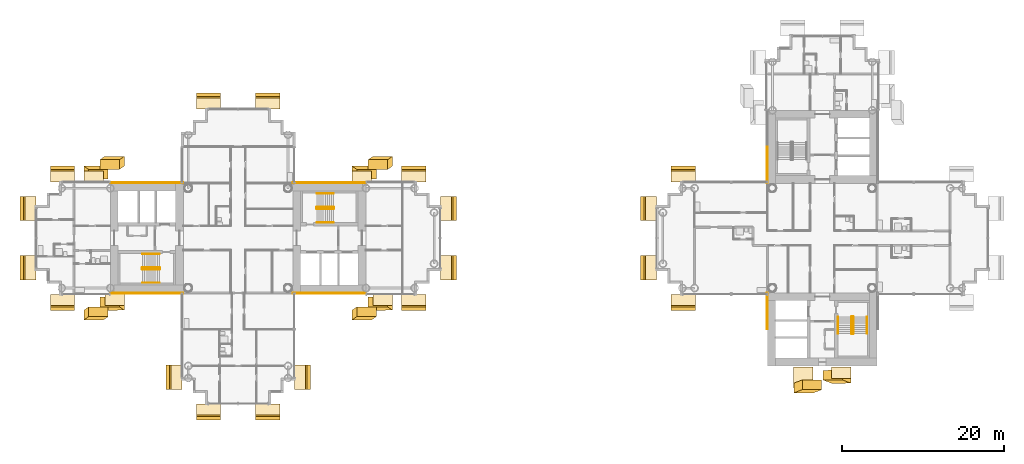
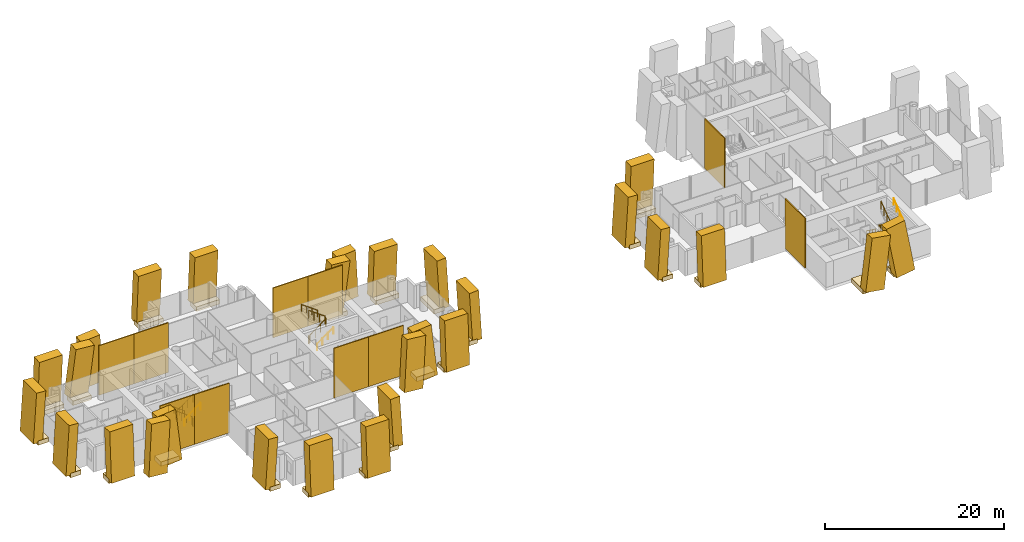
# One storey, part 19 of 21: 62 coverings, 9 railings.
"""IFC4 building model written with IfcOpenShell, lengths in metres."""

from ifc_helpers import new_model, si_unit, direction, frame, origin, origin_2d, place, context, subcontext, project, spatial, rectangle, circle, extrude, material, layer, layer_set, material_profile, profile_set, type_object, element, save


model = new_model("IFC4")

# Units and contexts
model_context = context("Model", 3, precision=1e-05, world=origin(), true_north=direction((0.0, 1.0)))
body_context = subcontext(model_context, "Body", "Model", "MODEL_VIEW")
ifc_project = project(units=[si_unit("LENGTHUNIT", "METRE"), si_unit("AREAUNIT", "SQUARE_METRE"), si_unit("VOLUMEUNIT", "CUBIC_METRE"), si_unit("PLANEANGLEUNIT", "RADIAN"), si_unit("MASSUNIT", "GRAM", prefix="KILO")], contexts=[model_context])

# Site, building, storey
site_placement = place(None, origin())
site = spatial("IfcSite", under=ifc_project, at=site_placement, CompositionType="ELEMENT")
building_placement = place(site_placement, origin())
building = spatial("IfcBuilding", under=site, at=building_placement, Name="Ipe Terrace Towers", CompositionType="ELEMENT")
storey_placement = place(building_placement, frame((0.0, 0.0, 86.800048828125)))
storey = spatial("IfcBuildingStorey", under=building, at=storey_placement, Name="L23", CompositionType="ELEMENT", Elevation=86.800048828125)

# Coverings
ifc_material_1 = material(Name="Concrete C50/60 precast, buff finish", Category="concrete")
ifc_layer = layer(ifc_material_1, 0.1201171875)
ifc_layer_set = layer_set([ifc_layer], Name="STONE CORE CLADDING 120")
covering_type_1 = type_object("IfcCoveringType", Name="STONE CORE CLADDING 120", PredefinedType="CLADDING", material=ifc_layer_set)
covering_1_placement = place(storey_placement, frame((-49.5009765625, -6.81005859375, 0.0), z_axis=(0.0, 0.0, 1.0), x_axis=(1.0, 0.0, 0.0)))
element("IfcCovering", 1, at=covering_1_placement, inside=storey, type_object=covering_type_1, Name="stone core cladding", PredefinedType="CLADDING", context=body_context, shape_type="SweptSolid", body=[
    extrude(rectangle(XDim=4.5009765625, YDim=0.1201171875, at=origin_2d()), origin(), (0.0, 0.0, 1.0), 6.800048828125),
])
covering_2_placement = place(storey_placement, frame((-45.0, -6.81005859375, 0.0), z_axis=(0.0, 0.0, 1.0), x_axis=(1.0, 0.0, 0.0)))
element("IfcCovering", 2, at=covering_2_placement, inside=storey, type_object=covering_type_1, Name="stone core cladding", PredefinedType="CLADDING", context=body_context, shape_type="SweptSolid", body=[
    extrude(rectangle(XDim=4.5, YDim=0.1201171875, at=origin_2d()), origin(), (0.0, 0.0, 1.0), 6.800048828125),
])
covering_3_placement = place(storey_placement, frame((-49.5009765625, 6.81005859375, 0.0), z_axis=(0.0, 0.0, 1.0), x_axis=(-1.0, 0.0, 0.0)))
element("IfcCovering", 3, at=covering_3_placement, inside=storey, type_object=covering_type_1, Name="stone core cladding", PredefinedType="CLADDING", context=body_context, shape_type="SweptSolid", body=[
    extrude(rectangle(XDim=4.5009765625, YDim=0.1201171875, at=origin_2d()), origin(), (0.0, 0.0, 1.0), 6.800048828125),
])
for number, where, z_axis, x_axis, name in (
    (4, (-45.0, 6.81005859375, 0.0), (0.0, 0.0, 1.0), (-1.0, 0.0, 0.0), "stone core cladding"),
    (5, (-27.0, -6.81005859375, 0.0), (0.0, 0.0, 1.0), (1.0, 0.0, 0.0), "stone core cladding"),
):
    element("IfcCovering", number, at=place(storey_placement, frame(where, z_axis=z_axis, x_axis=x_axis)), inside=storey, type_object=covering_type_1, Name=name, PredefinedType="CLADDING", context=body_context, shape_type="SweptSolid", body=[
        extrude(rectangle(XDim=4.5, YDim=0.1201171875, at=origin_2d()), origin(), (0.0, 0.0, 1.0), 6.800048828125),
    ])
covering_4_placement = place(storey_placement, frame((-22.4990234375, -6.81005859375, 0.0), z_axis=(0.0, 0.0, 1.0), x_axis=(1.0, 0.0, 0.0)))
element("IfcCovering", 6, at=covering_4_placement, inside=storey, type_object=covering_type_1, Name="stone core cladding", PredefinedType="CLADDING", context=body_context, shape_type="SweptSolid", body=[
    extrude(rectangle(XDim=4.5009765625, YDim=0.1201171875, at=origin_2d()), origin(), (0.0, 0.0, 1.0), 6.800048828125),
])
covering_5_placement = place(storey_placement, frame((-27.0, 6.81005859375, 0.0), z_axis=(0.0, 0.0, 1.0), x_axis=(-1.0, 0.0, 0.0)))
element("IfcCovering", 7, at=covering_5_placement, inside=storey, type_object=covering_type_1, Name="stone core cladding", PredefinedType="CLADDING", context=body_context, shape_type="SweptSolid", body=[
    extrude(rectangle(XDim=4.5, YDim=0.1201171875, at=origin_2d()), origin(), (0.0, 0.0, 1.0), 6.800048828125),
])
covering_6_placement = place(storey_placement, frame((-22.4990234375, 6.81005859375, 0.0), z_axis=(0.0, 0.0, 1.0), x_axis=(-1.0, 0.0, 0.0)))
element("IfcCovering", 8, at=covering_6_placement, inside=storey, type_object=covering_type_1, Name="stone core cladding", PredefinedType="CLADDING", context=body_context, shape_type="SweptSolid", body=[
    extrude(rectangle(XDim=4.5009765625, YDim=0.1201171875, at=origin_2d()), origin(), (0.0, 0.0, 1.0), 6.800048828125),
])
for number, where, z_axis, x_axis, name in (
    (9, (29.18994140625, -9.0, 0.0), (0.0, 0.0, 1.0), (0.0, -1.0, 0.0), "stone core cladding"),
    (10, (29.18994140625, 9.0, 0.0), (0.0, 0.0, 1.0), (0.0, -1.0, 0.0), "stone core cladding"),
):
    element("IfcCovering", number, at=place(storey_placement, frame(where, z_axis=z_axis, x_axis=x_axis)), inside=storey, type_object=covering_type_1, Name=name, PredefinedType="CLADDING", context=body_context, shape_type="SweptSolid", body=[
        extrude(rectangle(XDim=4.5, YDim=0.1201171875, at=origin_2d()), origin(), (0.0, 0.0, 1.0), 6.800048828125),
    ])
ifc_material_2 = material(Name="Concrete C50/60 precast, buff finish", Category="concrete")
ifc_material_profile_1 = material_profile(ifc_material_2, rectangle(XDim=2.39990234375, YDim=1.199951171875, at=origin_2d()), Name="STONE FIN 2400 x 1200")
ifc_profile_set_1 = profile_set([ifc_material_profile_1], Name="Concrete C50/60 precast, buff finish")
covering_type_2 = type_object("IfcCoveringType", Name="STONE FIN 2400 x 1200", PredefinedType="USERDEFINED", material=ifc_profile_set_1)
for number, where, z_axis, x_axis, name in (
    (11, (-20.76904296875, -9.488037109375, 0.0), (0.086717948488, 0.060691853614, 0.994382469835), (0.996232903196, -0.005282974506, -0.086556875927), "stone fin"),
    (12, (-20.76904296875, 8.2880859375, 0.0), (0.086717948488, -0.060691853614, 0.994382469835), (-0.996232903196, -0.005282974506, 0.086556875927), "stone fin"),
    (13, (-18.180908203125, -8.2880859375, 0.0), (-0.086717948488, 0.060691853614, 0.994382469835), (0.996232903196, 0.005282974506, 0.086556875927), "stone fin"),
    (14, (-18.180908203125, 9.488037109375, 0.0), (-0.086717948488, -0.060691853614, 0.994382469835), (-0.996232903196, 0.005282974506, -0.086556875927), "stone fin"),
    (15, (-53.819091796875, -9.488037109375, 0.0), (0.086717948488, 0.060691853614, 0.994382469835), (0.996232903196, -0.005282974506, -0.086556875927), "stone fin"),
    (16, (-53.819091796875, 8.2880859375, 0.0), (0.086717948488, -0.060691853614, 0.994382469835), (-0.996232903196, -0.005282974506, 0.086556875927), "stone fin"),
    (17, (-51.23095703125, -8.2880859375, 0.0), (-0.086717948488, 0.060691853614, 0.994382469835), (0.996232903196, 0.005282974506, 0.086556875927), "stone fin"),
    (18, (-51.23095703125, 9.488037109375, 0.0), (-0.086717948488, -0.060691853614, 0.994382469835), (-0.996232903196, 0.005282974506, -0.086556875927), "stone fin"),
):
    element("IfcCovering", number, at=place(storey_placement, frame(where, z_axis=z_axis, x_axis=x_axis)), inside=storey, type_object=covering_type_2, Name=name, ObjectType="FIN", PredefinedType="USERDEFINED", context=body_context, shape_type="SweptSolid", body=[
        extrude(rectangle(XDim=2.39990234375, YDim=1.199951171875, at=origin_2d()), origin(), (0.0, 0.0, 1.0), 6.83837890625),
    ])
for number, where, z_axis, x_axis, name in (
    (19, (38.340087890625, -17.2880859375, 0.0), (-0.155581739116, 0.060179512286, 0.985988209237), (0.987823021828, 0.009478249627, 0.155292756851), "stone fin"),
    (20, (33.659912109375, -18.488037109375, 0.0), (0.155581739116, 0.060179512286, 0.985988209237), (0.987823021828, -0.009478249627, -0.155292756851), "stone fin"),
):
    element("IfcCovering", number, at=place(storey_placement, frame(where, z_axis=z_axis, x_axis=x_axis)), inside=storey, type_object=covering_type_2, Name=name, ObjectType="FIN", PredefinedType="USERDEFINED", context=body_context, shape_type="SweptSolid", body=[
        extrude(rectangle(XDim=2.39990234375, YDim=1.199951171875, at=origin_2d()), origin(), (0.0, 0.0, 1.0), 6.896728515625),
    ])
ifc_material_3 = material(Name="Concrete C50/60 precast, buff finish", Category="concrete")
ifc_material_profile_2 = material_profile(ifc_material_3, rectangle(XDim=3.0, YDim=1.199951171875, at=origin_2d()), Name="STONE FIN CORNER 3000 x 1200")
ifc_profile_set_2 = profile_set([ifc_material_profile_2], Name="Concrete C50/60 precast, buff finish")
covering_type_3 = type_object("IfcCoveringType", Name="STONE FIN CORNER 3000 x 1200", PredefinedType="USERDEFINED", material=ifc_profile_set_2)
for number, where, z_axis, x_axis, name in (
    (21, (-9.7119140625, -3.64990234375, 0.0), (-0.060921350238, 0.0, 0.998142569519), (0.0, 1.0, 0.0), "stone fin"),
    (22, (-9.7119140625, 3.64990234375, 0.0), (-0.060921350238, 0.0, 0.998142569519), (0.0, 1.0, 0.0), "stone fin"),
    (23, (-14.35009765625, -8.2880859375, 0.0), (0.0, 0.060921350238, 0.998142569519), (1.0, 0.0, 0.0), "stone fin"),
    (24, (-14.35009765625, 8.2880859375, 0.0), (0.0, -0.060921350238, 0.998142569519), (-1.0, 0.0, 0.0), "stone fin"),
    (25, (-27.7119140625, -17.14990234375, 0.0), (-0.060921350238, 0.0, 0.998142569519), (0.0, 1.0, 0.0), "stone fin"),
    (26, (-32.35009765625, -21.7880859375, 0.0), (0.0, 0.060921350238, 0.998142569519), (1.0, 0.0, 0.0), "stone fin"),
    (27, (-32.35009765625, 17.2880859375, 0.0), (0.0, -0.060921350238, 0.998142569519), (-1.0, 0.0, 0.0), "stone fin"),
    (28, (-39.64990234375, -21.7880859375, 0.0), (0.0, 0.060921350238, 0.998142569519), (1.0, 0.0, 0.0), "stone fin"),
    (29, (-39.64990234375, 17.2880859375, 0.0), (0.0, -0.060921350238, 0.998142569519), (-1.0, 0.0, 0.0), "stone fin"),
    (30, (-44.2880859375, -17.14990234375, 0.0), (0.060921350238, 0.0, 0.998142569519), (0.0, -1.0, 0.0), "stone fin"),
    (31, (-57.64990234375, -8.2880859375, 0.0), (0.0, 0.060921350238, 0.998142569519), (1.0, 0.0, 0.0), "stone fin"),
    (32, (-57.64990234375, 8.2880859375, 0.0), (0.0, -0.060921350238, 0.998142569519), (-1.0, 0.0, 0.0), "stone fin"),
    (33, (-62.2880859375, -3.64990234375, 0.0), (0.060921350238, 0.0, 0.998142569519), (0.0, -1.0, 0.0), "stone fin"),
    (34, (-62.2880859375, 3.64990234375, 0.0), (0.060921350238, 0.0, 0.998142569519), (0.0, -1.0, 0.0), "stone fin"),
    (35, (14.2119140625, -3.64990234375, 0.0), (0.060921350238, 0.0, 0.998142569519), (0.0, -1.0, 0.0), "stone fin"),
    (36, (14.2119140625, 3.64990234375, 0.0), (0.060921350238, 0.0, 0.998142569519), (0.0, -1.0, 0.0), "stone fin"),
    (37, (18.85009765625, -8.2880859375, 0.0), (0.0, 0.060921350238, 0.998142569519), (1.0, 0.0, 0.0), "stone fin"),
    (38, (18.85009765625, 8.2880859375, 0.0), (0.0, -0.060921350238, 0.998142569519), (-1.0, 0.0, 0.0), "stone fin"),
):
    element("IfcCovering", number, at=place(storey_placement, frame(where, z_axis=z_axis, x_axis=x_axis)), inside=storey, type_object=covering_type_3, Name=name, ObjectType="FIN", PredefinedType="USERDEFINED", context=body_context, shape_type="SweptSolid", body=[
        extrude(rectangle(XDim=3.0, YDim=1.199951171875, at=origin_2d()), origin(), (0.0, 0.0, 1.0), 6.812744140625),
    ])
ifc_material_4 = material(Name="Concrete C50/60 precast, buff finish", Category="concrete")
covering_type_4 = type_object("IfcCoveringType", Name="STONE FIN SHELF 2400 x 600", PredefinedType="CLADDING", material=ifc_material_4)
covering_7_placement = place(storey_placement, frame((-20.76904296875, 7.573974609375, -0.35009765625), z_axis=(0.0, 0.0, 1.0), x_axis=(-1.0, 0.0, 0.0)))
element("IfcCovering", 39, at=covering_7_placement, inside=storey, type_object=covering_type_4, Name="stone fin shelf", PredefinedType="CLADDING", context=body_context, shape_type="SweptSolid", body=[
    extrude(rectangle(XDim=2.39990234375, YDim=1.427978515625, at=origin_2d()), origin(), (0.0, 0.0, 1.0), 0.60009765625),
])
for number, where, z_axis, x_axis, name in (
    (40, (-18.180908203125, -7.60205078125, -0.35009765625), (0.0, 0.0, 1.0), (1.0, 0.0, 0.0), "stone fin shelf"),
    (41, (-53.819091796875, 7.60205078125, -0.35009765625), (0.0, 0.0, 1.0), (-1.0, 0.0, 0.0), "stone fin shelf"),
):
    element("IfcCovering", number, at=place(storey_placement, frame(where, z_axis=z_axis, x_axis=x_axis)), inside=storey, type_object=covering_type_4, Name=name, PredefinedType="CLADDING", context=body_context, shape_type="SweptSolid", body=[
        extrude(rectangle(XDim=2.39990234375, YDim=1.3720703125, at=origin_2d()), origin(), (0.0, 0.0, 1.0), 0.60009765625),
    ])
for number, where, z_axis, x_axis, name in (
    (42, (-51.23095703125, -7.573974609375, -0.35009765625), (0.0, 0.0, 1.0), (1.0, 0.0, 0.0), "stone fin shelf"),
    (43, (38.340087890625, -16.573974609375, -0.35009765625), (0.0, 0.0, 1.0), (1.0, 0.0, 0.0), "stone fin shelf"),
):
    element("IfcCovering", number, at=place(storey_placement, frame(where, z_axis=z_axis, x_axis=x_axis)), inside=storey, type_object=covering_type_4, Name=name, PredefinedType="CLADDING", context=body_context, shape_type="SweptSolid", body=[
        extrude(rectangle(XDim=2.39990234375, YDim=1.427978515625, at=origin_2d()), origin(), (0.0, 0.0, 1.0), 0.60009765625),
    ])
covering_8_placement = place(storey_placement, frame((33.659912109375, -17.174072265625, -0.35009765625), z_axis=(0.0, 0.0, 1.0), x_axis=(1.0, 0.0, 0.0)))
element("IfcCovering", 44, at=covering_8_placement, inside=storey, type_object=covering_type_4, Name="stone fin shelf", PredefinedType="CLADDING", context=body_context, shape_type="SweptSolid", body=[
    extrude(rectangle(XDim=2.39990234375, YDim=2.6279296875, at=origin_2d()), origin(), (0.0, 0.0, 1.0), 0.60009765625),
])
ifc_material_5 = material(Name="Concrete C50/60 precast, buff finish", Category="concrete")
covering_type_5 = type_object("IfcCoveringType", Name="STONE FIN SHELF 3000 x 600", PredefinedType="CLADDING", material=ifc_material_5)
for number, where, z_axis, x_axis, name in (
    (45, (-10.39794921875, -3.64990234375, -0.35009765625), (0.0, 0.0, 1.0), (0.0, 1.0, 0.0), "stone fin shelf"),
    (46, (-10.39794921875, 3.64990234375, -0.35009765625), (0.0, 0.0, 1.0), (0.0, 1.0, 0.0), "stone fin shelf"),
    (47, (-14.35009765625, -7.60205078125, -0.35009765625), (0.0, 0.0, 1.0), (1.0, 0.0, 0.0), "stone fin shelf"),
    (48, (-14.35009765625, 7.60205078125, -0.35009765625), (0.0, 0.0, 1.0), (-1.0, 0.0, 0.0), "stone fin shelf"),
    (49, (-28.39794921875, -17.14990234375, -0.35009765625), (0.0, 0.0, 1.0), (0.0, 1.0, 0.0), "stone fin shelf"),
    (50, (-32.35009765625, -21.10205078125, -0.35009765625), (0.0, 0.0, 1.0), (1.0, 0.0, 0.0), "stone fin shelf"),
    (51, (-32.35009765625, 16.60205078125, -0.35009765625), (0.0, 0.0, 1.0), (-1.0, 0.0, 0.0), "stone fin shelf"),
    (52, (-39.64990234375, -21.10205078125, -0.35009765625), (0.0, 0.0, 1.0), (1.0, 0.0, 0.0), "stone fin shelf"),
    (53, (-39.64990234375, 16.60205078125, -0.35009765625), (0.0, 0.0, 1.0), (-1.0, 0.0, 0.0), "stone fin shelf"),
    (54, (-43.60205078125, -17.14990234375, -0.35009765625), (0.0, 0.0, 1.0), (0.0, -1.0, 0.0), "stone fin shelf"),
    (55, (-57.64990234375, -7.60205078125, -0.35009765625), (0.0, 0.0, 1.0), (1.0, 0.0, 0.0), "stone fin shelf"),
    (56, (-57.64990234375, 7.60205078125, -0.35009765625), (0.0, 0.0, 1.0), (-1.0, 0.0, 0.0), "stone fin shelf"),
    (57, (-61.60205078125, -3.64990234375, -0.35009765625), (0.0, 0.0, 1.0), (0.0, -1.0, 0.0), "stone fin shelf"),
    (58, (-61.60205078125, 3.64990234375, -0.35009765625), (0.0, 0.0, 1.0), (0.0, -1.0, 0.0), "stone fin shelf"),
    (59, (14.89794921875, -3.64990234375, -0.35009765625), (0.0, 0.0, 1.0), (0.0, -1.0, 0.0), "stone fin shelf"),
    (60, (14.89794921875, 3.64990234375, -0.35009765625), (0.0, 0.0, 1.0), (0.0, -1.0, 0.0), "stone fin shelf"),
    (61, (18.85009765625, -7.60205078125, -0.35009765625), (0.0, 0.0, 1.0), (1.0, 0.0, 0.0), "stone fin shelf"),
    (62, (18.85009765625, 7.60205078125, -0.35009765625), (0.0, 0.0, 1.0), (-1.0, 0.0, 0.0), "stone fin shelf"),
):
    element("IfcCovering", number, at=place(storey_placement, frame(where, z_axis=z_axis, x_axis=x_axis)), inside=storey, type_object=covering_type_5, Name=name, PredefinedType="CLADDING", context=body_context, shape_type="SweptSolid", body=[
        extrude(rectangle(XDim=3.0, YDim=1.3720703125, at=origin_2d()), origin(), (0.0, 0.0, 1.0), 0.60009765625),
    ])

# Railings
ifc_material_6 = material(Name="Steel S355", Category="steel")
railing_type_1 = type_object("IfcRailingType", Name="Stair guard 1100", PredefinedType="GUARDRAIL", material=ifc_material_6)
railing_1_placement = place(storey_placement, frame((-26.35009765625, 3.800048828125, 0.0)))
element("IfcRailing", 63, at=railing_1_placement, inside=storey, type_object=railing_type_1, Name="L23 T1-ST1 stair guard 1", PredefinedType="GUARDRAIL", context=body_context, shape_type="SweptSolid", body=[
    extrude(circle(Radius=0.02392578125, at=origin_2d()), frame((0.0, 0.0, 1.076171875), z_axis=(0.0, -1.0, 0.0), x_axis=(1.0, 0.0, 0.0)), (0.0, 0.0, 1.0), 0.150146484375),
    extrude(circle(Radius=0.02392578125, at=origin_2d()), frame((0.0, -0.150146484375, 1.076171875), z_axis=(0.248385422981, -0.247173786771, 0.936594790069), x_axis=(0.705375805398, 0.708833529934, 0.0)), (0.0, 0.0, 1.0), 0.201416015625),
    extrude(circle(Radius=0.02392578125, at=origin_2d()), frame((0.050048828125, -0.199951171875, 1.2646484375), z_axis=(0.809023421508, 0.0, 0.587776406001), x_axis=(0.0, 1.0, 0.0)), (0.0, 0.0, 1.0), 2.571044921875),
    extrude(circle(Radius=0.02392578125, at=origin_2d()), frame((2.130126953125, -0.199951171875, 2.77587890625), z_axis=(0.708833529934, 0.705375805398, 0.0), x_axis=(-0.705375805398, 0.708833529934, 0.0)), (0.0, 0.0, 1.0), 0.070556640625),
    extrude(circle(Radius=0.02392578125, at=origin_2d()), frame((2.18017578125, -0.150146484375, 2.77587890625), z_axis=(0.0, 1.0, 0.0), x_axis=(-1.0, 0.0, 0.0)), (0.0, 0.0, 1.0), 0.150146484375),
    extrude(circle(Radius=0.02392578125, at=origin_2d()), frame((2.18017578125, 0.0, 2.77587890625), z_axis=(-0.248029566107, 0.248029566107, 0.936462849596), x_axis=(-0.707106781187, -0.707106781187, 0.0)), (0.0, 0.0, 1.0), 0.201904296875),
    extrude(circle(Radius=0.02392578125, at=origin_2d()), frame((2.130126953125, 0.050048828125, 2.96484375), z_axis=(-0.809068575486, 0.0, 0.587714250432), x_axis=(0.0, -1.0, 0.0)), (0.0, 0.0, 1.0), 2.571044921875),
    extrude(circle(Radius=0.02099609375, at=origin_2d()), origin(), (0.0, 0.0, 1.0), 1.052001953125),
    extrude(circle(Radius=0.02099609375, at=origin_2d()), frame((0.0, -0.150146484375, 0.0)), (0.0, 0.0, 1.0), 1.052001953125),
    extrude(circle(Radius=0.02099609375, at=origin_2d()), frame((0.050048828125, -0.199951171875, 0.188720703125)), (0.0, 0.0, 1.0), 1.052001953125),
    extrude(circle(Radius=0.02099609375, at=origin_2d()), frame((0.743408203125, -0.199951171875, 0.6923828125)), (0.0, 0.0, 1.0), 1.052001953125),
    extrude(circle(Radius=0.02099609375, at=origin_2d()), frame((1.436767578125, -0.199951171875, 1.1962890625)), (0.0, 0.0, 1.0), 1.052001953125),
    extrude(circle(Radius=0.02099609375, at=origin_2d()), frame((2.130126953125, -0.199951171875, 1.699951171875)), (0.0, 0.0, 1.0), 1.052001953125),
    extrude(circle(Radius=0.02099609375, at=origin_2d()), frame((2.18017578125, -0.150146484375, 1.699951171875)), (0.0, 0.0, 1.0), 1.052001953125),
    extrude(circle(Radius=0.02099609375, at=origin_2d()), frame((2.18017578125, 0.0, 1.699951171875)), (0.0, 0.0, 1.0), 1.052001953125),
    extrude(circle(Radius=0.02099609375, at=origin_2d()), frame((2.130126953125, 0.050048828125, 1.888916015625)), (0.0, 0.0, 1.0), 1.052001953125),
    extrude(circle(Radius=0.02099609375, at=origin_2d()), frame((1.436767578125, 0.050048828125, 2.392578125)), (0.0, 0.0, 1.0), 1.052001953125),
    extrude(circle(Radius=0.02099609375, at=origin_2d()), frame((0.743408203125, 0.050048828125, 2.896240234375)), (0.0, 0.0, 1.0), 1.052001953125),
    extrude(circle(Radius=0.02099609375, at=origin_2d()), frame((0.050048828125, 0.050048828125, 3.39990234375)), (0.0, 0.0, 1.0), 1.052001953125),
])
railing_2_placement = place(storey_placement, frame((-45.64990234375, -3.800048828125, 0.0)))
element("IfcRailing", 64, at=railing_2_placement, inside=storey, type_object=railing_type_1, Name="L23 T1-ST2 stair guard 1", PredefinedType="GUARDRAIL", context=body_context, shape_type="SweptSolid", body=[
    extrude(circle(Radius=0.02392578125, at=origin_2d()), frame((0.0, 0.0, 1.076171875), z_axis=(0.0, 1.0, 0.0), x_axis=(-1.0, 0.0, 0.0)), (0.0, 0.0, 1.0), 0.150146484375),
    extrude(circle(Radius=0.02392578125, at=origin_2d()), frame((0.0, 0.150146484375, 1.076171875), z_axis=(-0.248385422981, 0.247173786771, 0.936594790069), x_axis=(-0.705375805398, -0.708833529934, 0.0)), (0.0, 0.0, 1.0), 0.201416015625),
    extrude(circle(Radius=0.02392578125, at=origin_2d()), frame((-0.050048828125, 0.199951171875, 1.2646484375), z_axis=(-0.809023421508, 0.0, 0.587776406001), x_axis=(0.0, -1.0, 0.0)), (0.0, 0.0, 1.0), 2.571044921875),
    extrude(circle(Radius=0.02392578125, at=origin_2d()), frame((-2.130126953125, 0.199951171875, 2.77587890625), z_axis=(-0.708833529934, -0.705375805398, 0.0), x_axis=(0.705375805398, -0.708833529934, 0.0)), (0.0, 0.0, 1.0), 0.070556640625),
    extrude(circle(Radius=0.02392578125, at=origin_2d()), frame((-2.18017578125, 0.150146484375, 2.77587890625), z_axis=(0.0, -1.0, 0.0), x_axis=(1.0, 0.0, 0.0)), (0.0, 0.0, 1.0), 0.150146484375),
    extrude(circle(Radius=0.02392578125, at=origin_2d()), frame((-2.18017578125, 0.0, 2.77587890625), z_axis=(0.248029566107, -0.248029566107, 0.936462849596), x_axis=(0.707106781187, 0.707106781187, 0.0)), (0.0, 0.0, 1.0), 0.201904296875),
    extrude(circle(Radius=0.02392578125, at=origin_2d()), frame((-2.130126953125, -0.050048828125, 2.96484375), z_axis=(0.809068575486, 0.0, 0.587714250432), x_axis=(0.0, 1.0, 0.0)), (0.0, 0.0, 1.0), 2.571044921875),
    extrude(circle(Radius=0.02099609375, at=origin_2d()), origin(), (0.0, 0.0, 1.0), 1.052001953125),
    extrude(circle(Radius=0.02099609375, at=origin_2d()), frame((0.0, 0.150146484375, 0.0)), (0.0, 0.0, 1.0), 1.052001953125),
    extrude(circle(Radius=0.02099609375, at=origin_2d()), frame((-0.050048828125, 0.199951171875, 0.188720703125)), (0.0, 0.0, 1.0), 1.052001953125),
    extrude(circle(Radius=0.02099609375, at=origin_2d()), frame((-0.743408203125, 0.199951171875, 0.6923828125)), (0.0, 0.0, 1.0), 1.052001953125),
    extrude(circle(Radius=0.02099609375, at=origin_2d()), frame((-1.436767578125, 0.199951171875, 1.1962890625)), (0.0, 0.0, 1.0), 1.052001953125),
    extrude(circle(Radius=0.02099609375, at=origin_2d()), frame((-2.130126953125, 0.199951171875, 1.699951171875)), (0.0, 0.0, 1.0), 1.052001953125),
    extrude(circle(Radius=0.02099609375, at=origin_2d()), frame((-2.18017578125, 0.150146484375, 1.699951171875)), (0.0, 0.0, 1.0), 1.052001953125),
    extrude(circle(Radius=0.02099609375, at=origin_2d()), frame((-2.18017578125, 0.0, 1.699951171875)), (0.0, 0.0, 1.0), 1.052001953125),
    extrude(circle(Radius=0.02099609375, at=origin_2d()), frame((-2.130126953125, -0.050048828125, 1.888916015625)), (0.0, 0.0, 1.0), 1.052001953125),
    extrude(circle(Radius=0.02099609375, at=origin_2d()), frame((-1.436767578125, -0.050048828125, 2.392578125)), (0.0, 0.0, 1.0), 1.052001953125),
    extrude(circle(Radius=0.02099609375, at=origin_2d()), frame((-0.743408203125, -0.050048828125, 2.896240234375)), (0.0, 0.0, 1.0), 1.052001953125),
    extrude(circle(Radius=0.02099609375, at=origin_2d()), frame((-0.050048828125, -0.050048828125, 3.39990234375)), (0.0, 0.0, 1.0), 1.052001953125),
])
railing_3_placement = place(storey_placement, frame((39.800048828125, -9.64990234375, 0.0)))
element("IfcRailing", 65, at=railing_3_placement, inside=storey, type_object=railing_type_1, Name="L23 T2-ST2 stair guard 1", PredefinedType="GUARDRAIL", context=body_context, shape_type="SweptSolid", body=[
    extrude(circle(Radius=0.02392578125, at=origin_2d()), frame((0.0, 0.0, 1.076171875), z_axis=(-1.0, 0.0, 0.0), x_axis=(0.0, -1.0, 0.0)), (0.0, 0.0, 1.0), 0.150146484375),
    extrude(circle(Radius=0.02392578125, at=origin_2d()), frame((-0.150146484375, 0.0, 1.076171875), z_axis=(-0.247173786771, -0.248385422981, 0.936594790069), x_axis=(0.708833529934, -0.705375805398, 0.0)), (0.0, 0.0, 1.0), 0.201416015625),
    extrude(circle(Radius=0.02392578125, at=origin_2d()), frame((-0.199951171875, -0.050048828125, 1.2646484375), z_axis=(0.0, -0.809023421508, 0.587776406001), x_axis=(1.0, 0.0, 0.0)), (0.0, 0.0, 1.0), 2.571044921875),
    extrude(circle(Radius=0.02392578125, at=origin_2d()), frame((-0.199951171875, -2.130126953125, 2.77587890625), z_axis=(0.705375805398, -0.708833529934, 0.0), x_axis=(0.708833529934, 0.705375805398, 0.0)), (0.0, 0.0, 1.0), 0.070556640625),
    extrude(circle(Radius=0.02392578125, at=origin_2d()), frame((-0.150146484375, -2.18017578125, 2.77587890625), z_axis=(1.0, 0.0, 0.0), x_axis=(0.0, 1.0, 0.0)), (0.0, 0.0, 1.0), 0.150146484375),
    extrude(circle(Radius=0.02392578125, at=origin_2d()), frame((0.0, -2.18017578125, 2.77587890625), z_axis=(0.248029566107, 0.248029566107, 0.936462849596), x_axis=(-0.707106781187, 0.707106781187, 0.0)), (0.0, 0.0, 1.0), 0.201904296875),
    extrude(circle(Radius=0.02392578125, at=origin_2d()), frame((0.050048828125, -2.130126953125, 2.96484375), z_axis=(0.0, 0.809068575486, 0.587714250432), x_axis=(-1.0, 0.0, 0.0)), (0.0, 0.0, 1.0), 2.571044921875),
    extrude(circle(Radius=0.02099609375, at=origin_2d()), origin(), (0.0, 0.0, 1.0), 1.052001953125),
    extrude(circle(Radius=0.02099609375, at=origin_2d()), frame((-0.150146484375, 0.0, 0.0)), (0.0, 0.0, 1.0), 1.052001953125),
    extrude(circle(Radius=0.02099609375, at=origin_2d()), frame((-0.199951171875, -0.050048828125, 0.188720703125)), (0.0, 0.0, 1.0), 1.052001953125),
    extrude(circle(Radius=0.02099609375, at=origin_2d()), frame((-0.199951171875, -0.743408203125, 0.6923828125)), (0.0, 0.0, 1.0), 1.052001953125),
    extrude(circle(Radius=0.02099609375, at=origin_2d()), frame((-0.199951171875, -1.436767578125, 1.1962890625)), (0.0, 0.0, 1.0), 1.052001953125),
    extrude(circle(Radius=0.02099609375, at=origin_2d()), frame((-0.199951171875, -2.130126953125, 1.699951171875)), (0.0, 0.0, 1.0), 1.052001953125),
    extrude(circle(Radius=0.02099609375, at=origin_2d()), frame((-0.150146484375, -2.18017578125, 1.699951171875)), (0.0, 0.0, 1.0), 1.052001953125),
    extrude(circle(Radius=0.02099609375, at=origin_2d()), frame((0.0, -2.18017578125, 1.699951171875)), (0.0, 0.0, 1.0), 1.052001953125),
    extrude(circle(Radius=0.02099609375, at=origin_2d()), frame((0.050048828125, -2.130126953125, 1.888916015625)), (0.0, 0.0, 1.0), 1.052001953125),
    extrude(circle(Radius=0.02099609375, at=origin_2d()), frame((0.050048828125, -1.436767578125, 2.392578125)), (0.0, 0.0, 1.0), 1.052001953125),
    extrude(circle(Radius=0.02099609375, at=origin_2d()), frame((0.050048828125, -0.743408203125, 2.896240234375)), (0.0, 0.0, 1.0), 1.052001953125),
    extrude(circle(Radius=0.02099609375, at=origin_2d()), frame((0.050048828125, -0.050048828125, 3.39990234375)), (0.0, 0.0, 1.0), 1.052001953125),
])
ifc_material_7 = material(Name="Stainless steel grade 304", Category="steel")
railing_type_2 = type_object("IfcRailingType", Name="Stair handrail 900", PredefinedType="HANDRAIL", material=ifc_material_7)
railing_4_placement = place(storey_placement, frame((-26.300048828125, 1.949951171875, 0.188720703125)))
element("IfcRailing", 66, at=railing_4_placement, inside=storey, type_object=railing_type_2, Name="L23 T1-ST1 stair handrail 1", PredefinedType="HANDRAIL", context=body_context, shape_type="SweptSolid", body=[
    extrude(circle(Radius=0.02392578125, at=origin_2d()), frame((0.0, 0.0, 0.8759765625), z_axis=(0.809023421508, 0.0, 0.587776406001), x_axis=(0.0, 1.0, 0.0)), (0.0, 0.0, 1.0), 2.571044921875),
    extrude(circle(Radius=0.02099609375, at=origin_2d()), origin(), (0.0, 0.0, 1.0), 0.851806640625),
    extrude(circle(Radius=0.02099609375, at=origin_2d()), frame((0.693359375, 0.0, 0.503662109375)), (0.0, 0.0, 1.0), 0.851806640625),
    extrude(circle(Radius=0.02099609375, at=origin_2d()), frame((1.38671875, 0.0, 1.007568359375)), (0.0, 0.0, 1.0), 0.851806640625),
    extrude(circle(Radius=0.02099609375, at=origin_2d()), frame((2.080078125, 0.0, 1.51123046875)), (0.0, 0.0, 1.0), 0.851806640625),
])
railing_5_placement = place(storey_placement, frame((-24.219970703125, 5.5, 1.888916015625)))
element("IfcRailing", 67, at=railing_5_placement, inside=storey, type_object=railing_type_2, Name="L23 T1-ST1 stair handrail 2", PredefinedType="HANDRAIL", context=body_context, shape_type="SweptSolid", body=[
    extrude(circle(Radius=0.02392578125, at=origin_2d()), frame((0.0, 0.0, 0.8759765625), z_axis=(-0.809068575486, 0.0, 0.587714250432), x_axis=(0.0, -1.0, 0.0)), (0.0, 0.0, 1.0), 2.571044921875),
    extrude(circle(Radius=0.02099609375, at=origin_2d()), origin(), (0.0, 0.0, 1.0), 0.851806640625),
    extrude(circle(Radius=0.02099609375, at=origin_2d()), frame((-0.693359375, 0.0, 0.503662109375)), (0.0, 0.0, 1.0), 0.851806640625),
    extrude(circle(Radius=0.02099609375, at=origin_2d()), frame((-1.38671875, 0.0, 1.00732421875)), (0.0, 0.0, 1.0), 0.851806640625),
    extrude(circle(Radius=0.02099609375, at=origin_2d()), frame((-2.080078125, 0.0, 1.510986328125)), (0.0, 0.0, 1.0), 0.851806640625),
])
railing_6_placement = place(storey_placement, frame((-45.699951171875, -1.949951171875, 0.188720703125)))
element("IfcRailing", 68, at=railing_6_placement, inside=storey, type_object=railing_type_2, Name="L23 T1-ST2 stair handrail 1", PredefinedType="HANDRAIL", context=body_context, shape_type="SweptSolid", body=[
    extrude(circle(Radius=0.02392578125, at=origin_2d()), frame((0.0, 0.0, 0.8759765625), z_axis=(-0.809023421508, 0.0, 0.587776406001), x_axis=(0.0, -1.0, 0.0)), (0.0, 0.0, 1.0), 2.571044921875),
    extrude(circle(Radius=0.02099609375, at=origin_2d()), origin(), (0.0, 0.0, 1.0), 0.851806640625),
    extrude(circle(Radius=0.02099609375, at=origin_2d()), frame((-0.693359375, 0.0, 0.503662109375)), (0.0, 0.0, 1.0), 0.851806640625),
    extrude(circle(Radius=0.02099609375, at=origin_2d()), frame((-1.38671875, 0.0, 1.007568359375)), (0.0, 0.0, 1.0), 0.851806640625),
    extrude(circle(Radius=0.02099609375, at=origin_2d()), frame((-2.080078125, 0.0, 1.51123046875)), (0.0, 0.0, 1.0), 0.851806640625),
])
railing_7_placement = place(storey_placement, frame((-47.780029296875, -5.5, 1.888916015625)))
element("IfcRailing", 69, at=railing_7_placement, inside=storey, type_object=railing_type_2, Name="L23 T1-ST2 stair handrail 2", PredefinedType="HANDRAIL", context=body_context, shape_type="SweptSolid", body=[
    extrude(circle(Radius=0.02392578125, at=origin_2d()), frame((0.0, 0.0, 0.8759765625), z_axis=(0.809068575486, 0.0, 0.587714250432), x_axis=(0.0, 1.0, 0.0)), (0.0, 0.0, 1.0), 2.571044921875),
    extrude(circle(Radius=0.02099609375, at=origin_2d()), origin(), (0.0, 0.0, 1.0), 0.851806640625),
    extrude(circle(Radius=0.02099609375, at=origin_2d()), frame((0.693359375, 0.0, 0.503662109375)), (0.0, 0.0, 1.0), 0.851806640625),
    extrude(circle(Radius=0.02099609375, at=origin_2d()), frame((1.38671875, 0.0, 1.00732421875)), (0.0, 0.0, 1.0), 0.851806640625),
    extrude(circle(Radius=0.02099609375, at=origin_2d()), frame((2.080078125, 0.0, 1.510986328125)), (0.0, 0.0, 1.0), 0.851806640625),
])
railing_8_placement = place(storey_placement, frame((37.949951171875, -9.699951171875, 0.188720703125)))
element("IfcRailing", 70, at=railing_8_placement, inside=storey, type_object=railing_type_2, Name="L23 T2-ST2 stair handrail 1", PredefinedType="HANDRAIL", context=body_context, shape_type="SweptSolid", body=[
    extrude(circle(Radius=0.02392578125, at=origin_2d()), frame((0.0, 0.0, 0.8759765625), z_axis=(0.0, -0.809023421508, 0.587776406001), x_axis=(1.0, 0.0, 0.0)), (0.0, 0.0, 1.0), 2.571044921875),
    extrude(circle(Radius=0.02099609375, at=origin_2d()), origin(), (0.0, 0.0, 1.0), 0.851806640625),
    extrude(circle(Radius=0.02099609375, at=origin_2d()), frame((0.0, -0.693359375, 0.503662109375)), (0.0, 0.0, 1.0), 0.851806640625),
    extrude(circle(Radius=0.02099609375, at=origin_2d()), frame((0.0, -1.38671875, 1.007568359375)), (0.0, 0.0, 1.0), 0.851806640625),
    extrude(circle(Radius=0.02099609375, at=origin_2d()), frame((0.0, -2.080078125, 1.51123046875)), (0.0, 0.0, 1.0), 0.851806640625),
])
railing_9_placement = place(storey_placement, frame((41.5, -11.780029296875, 1.888916015625)))
element("IfcRailing", 71, at=railing_9_placement, inside=storey, type_object=railing_type_2, Name="L23 T2-ST2 stair handrail 2", PredefinedType="HANDRAIL", context=body_context, shape_type="SweptSolid", body=[
    extrude(circle(Radius=0.02392578125, at=origin_2d()), frame((0.0, 0.0, 0.8759765625), z_axis=(0.0, 0.809068575486, 0.587714250432), x_axis=(-1.0, 0.0, 0.0)), (0.0, 0.0, 1.0), 2.571044921875),
    extrude(circle(Radius=0.02099609375, at=origin_2d()), origin(), (0.0, 0.0, 1.0), 0.851806640625),
    extrude(circle(Radius=0.02099609375, at=origin_2d()), frame((0.0, 0.693359375, 0.503662109375)), (0.0, 0.0, 1.0), 0.851806640625),
    extrude(circle(Radius=0.02099609375, at=origin_2d()), frame((0.0, 1.38671875, 1.00732421875)), (0.0, 0.0, 1.0), 0.851806640625),
    extrude(circle(Radius=0.02099609375, at=origin_2d()), frame((0.0, 2.080078125, 1.510986328125)), (0.0, 0.0, 1.0), 0.851806640625),
])

save(model, "model.ifc")
